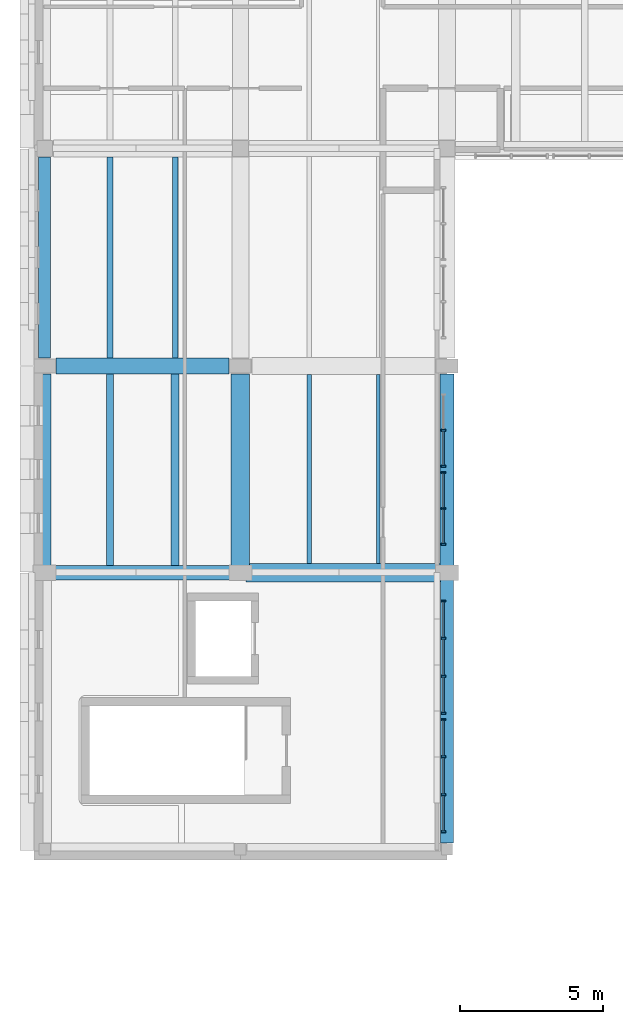
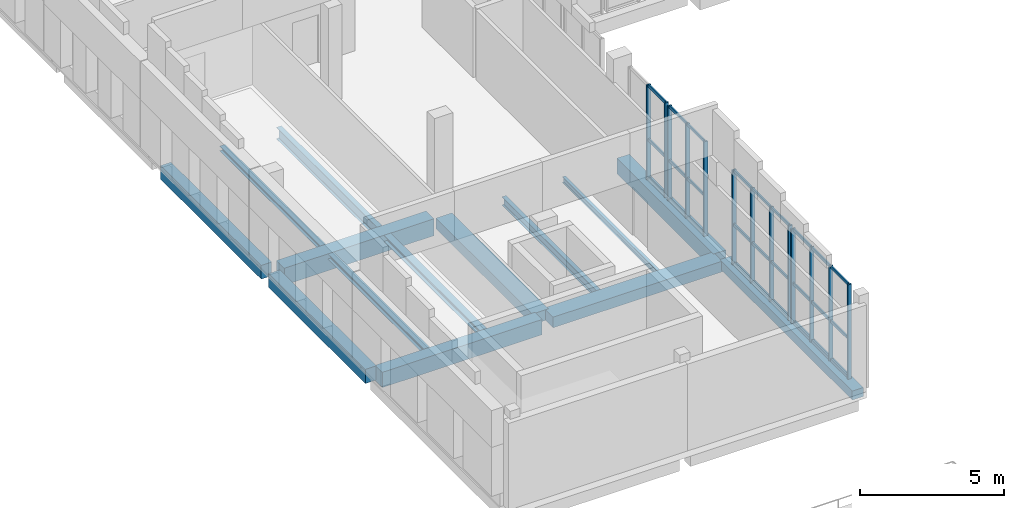
# One storey, part 8 of 34: 40 members, 14 beams, 4 elements without a shape of their own.
"""IFC4 building model written with IfcOpenShell, lengths in metres."""

from ifc_helpers import new_model, si_unit, direction, frame, origin, origin_2d, place, context, subcontext, project, spatial, rectangle, i_section, extrude, material, layer, layer_set, material_profile, profile_set, type_object, element, aggregate, save


model = new_model("IFC4")

# Units and contexts
model_context = context("Model", 3, precision=1e-05, world=origin(), true_north=direction((0.0, 1.0)))
body_context = subcontext(model_context, "Body", "Model", "MODEL_VIEW")
ifc_project = project(units=[si_unit("LENGTHUNIT", "METRE"), si_unit("AREAUNIT", "SQUARE_METRE"), si_unit("VOLUMEUNIT", "CUBIC_METRE"), si_unit("PLANEANGLEUNIT", "RADIAN"), si_unit("MASSUNIT", "GRAM", prefix="KILO")], contexts=[model_context])

# Site, building, storey
site_placement = place(None, origin())
site = spatial("IfcSite", under=ifc_project, at=site_placement, CompositionType="ELEMENT")
building_placement = place(site_placement, origin())
building = spatial("IfcBuilding", under=site, at=building_placement, Name="Vardoun Plaza Health Centre", CompositionType="ELEMENT")
storey_placement = place(building_placement, frame((0.0, 0.0, 12.89990234375)))
storey = spatial("IfcBuildingStorey", under=building, at=storey_placement, Name="L03", CompositionType="ELEMENT", Elevation=12.89990234375)

# Beams
ifc_material_1 = material(Name="Concrete C35/45", Category="concrete")
ifc_material_profile_1 = material_profile(ifc_material_1, rectangle(XDim=0.419921875, YDim=0.580078125, at=origin_2d()), Name="RC-BM 420x580")
ifc_profile_set_1 = profile_set([ifc_material_profile_1], Name="Concrete C35/45")
beam_type_1 = type_object("IfcBeamType", Name="B-10", PredefinedType="SPANDREL", material=ifc_profile_set_1)
beam_1_placement = place(storey_placement, frame((4.8798828125, 94.175048828125, -0.554931640625), z_axis=(0.0, 1.0, 0.0), x_axis=(-1.0, 0.0, 0.0)))
element("IfcBeam", 1, at=beam_1_placement, inside=storey, type_object=beam_type_1, Name="V3 L03 Beam B-V3-L03-Y27", PredefinedType="SPANDREL", context=body_context, shape_type="SweptSolid", body=[
    extrude(rectangle(XDim=0.419921875, YDim=0.580078125, at=origin_2d()), origin(), (0.0, 0.0, 1.0), 7.0048828125),
])
ifc_material_2 = material(Name="Concrete C35/45", Category="concrete")
ifc_material_profile_2 = material_profile(ifc_material_2, rectangle(XDim=0.449951171875, YDim=0.3798828125, at=origin_2d()), Name="RC-BM 450x380")
ifc_profile_set_2 = profile_set([ifc_material_profile_2], Name="Concrete C35/45")
beam_type_2 = type_object("IfcBeamType", Name="B-01", PredefinedType="BEAM", material=ifc_profile_set_2)
beam_2_placement = place(storey_placement, frame((18.89990234375, 77.284912109375, -0.454833984375), z_axis=(0.0, 1.0, 0.0), x_axis=(-1.0, 0.0, 0.0)))
element("IfcBeam", 2, at=beam_2_placement, inside=storey, type_object=beam_type_2, Name="V3 L03 Beam B-V3-L03-Y34", PredefinedType="BEAM", context=body_context, shape_type="SweptSolid", body=[
    extrude(rectangle(XDim=0.449951171875, YDim=0.3798828125, at=origin_2d()), origin(), (0.0, 0.0, 1.0), 9.215087890625),
])
ifc_material_3 = material(Name="Concrete C35/45", Category="concrete")
ifc_material_profile_3 = material_profile(ifc_material_3, rectangle(XDim=0.449951171875, YDim=0.60009765625, at=origin_2d()), Name="RC-BM 450x600")
ifc_profile_set_3 = profile_set([ifc_material_profile_3], Name="Concrete C35/45")
beam_type_3 = type_object("IfcBeamType", Name="B-11", PredefinedType="SPANDREL", material=ifc_profile_set_3)
beam_3_placement = place(storey_placement, frame((4.8798828125, 86.900146484375, -0.56494140625), z_axis=(0.0, 1.0, 0.0), x_axis=(-1.0, 0.0, 0.0)))
element("IfcBeam", 3, at=beam_3_placement, inside=storey, type_object=beam_type_3, Name="V3 L03 Beam B-V3-L03-Y26", PredefinedType="SPANDREL", context=body_context, shape_type="SweptSolid", body=[
    extrude(rectangle(XDim=0.449951171875, YDim=0.60009765625, at=origin_2d()), origin(), (0.0, 0.0, 1.0), 6.724853515625),
])
ifc_material_4 = material(Name="Concrete C40/50", Category="concrete")
ifc_material_profile_4 = material_profile(ifc_material_4, rectangle(XDim=0.5, YDim=0.64990234375, at=origin_2d()), Name="RC-BM 500x650")
ifc_profile_set_4 = profile_set([ifc_material_profile_4], Name="Concrete C40/50")
beam_type_4 = type_object("IfcBeamType", Name="B-13", PredefinedType="BEAM", material=ifc_profile_set_4)
beam_4_placement = place(storey_placement, frame((5.080078125, 86.699951171875, -0.58984375), z_axis=(1.0, 0.0, 0.0), x_axis=(0.0, 1.0, 0.0)))
element("IfcBeam", 4, at=beam_4_placement, inside=storey, type_object=beam_type_4, Name="V3 L03 Beam B-V3-L03-X02", PredefinedType="BEAM", context=body_context, shape_type="SweptSolid", body=[
    extrude(rectangle(XDim=0.5, YDim=0.64990234375, at=origin_2d()), origin(), (0.0, 0.0, 1.0), 6.419921875),
])
beam_5_placement = place(storey_placement, frame((18.89990234375, 86.900146484375, -0.58984375), z_axis=(0.0, 1.0, 0.0), x_axis=(-1.0, 0.0, 0.0)))
element("IfcBeam", 5, at=beam_5_placement, inside=storey, type_object=beam_type_4, Name="V3 L03 Beam B-V3-L03-Y35", PredefinedType="BEAM", context=body_context, shape_type="SweptSolid", body=[
    extrude(rectangle(XDim=0.5, YDim=0.64990234375, at=origin_2d()), origin(), (0.0, 0.0, 1.0), 6.724853515625),
])
ifc_material_5 = material(Name="Concrete C40/50", Category="concrete")
ifc_material_profile_5 = material_profile(ifc_material_5, rectangle(XDim=0.550048828125, YDim=0.719970703125, at=origin_2d()), Name="RC-BM 550x720")
ifc_profile_set_5 = profile_set([ifc_material_profile_5], Name="Concrete C40/50")
beam_type_5 = type_object("IfcBeamType", Name="B-14", PredefinedType="BEAM", material=ifc_profile_set_5)
beam_6_placement = place(storey_placement, frame((5.280029296875, 93.900146484375, -0.625), z_axis=(1.0, 0.0, 0.0), x_axis=(0.0, 1.0, 0.0)))
element("IfcBeam", 6, at=beam_6_placement, inside=storey, type_object=beam_type_5, Name="V3 L03 Beam B-V3-L03-X03", PredefinedType="BEAM", context=body_context, shape_type="SweptSolid", body=[
    extrude(rectangle(XDim=0.550048828125, YDim=0.719970703125, at=origin_2d()), origin(), (0.0, 0.0, 1.0), 6.02001953125),
])
ifc_material_6 = material(Name="Concrete C35/45", Category="concrete")
ifc_material_profile_6 = material_profile(ifc_material_6, rectangle(XDim=0.64990234375, YDim=0.449951171875, at=origin_2d()), Name="RC-BM 650x450")
ifc_profile_set_6 = profile_set([ifc_material_profile_6], Name="Concrete C35/45")
beam_type_6 = type_object("IfcBeamType", Name="B-05", PredefinedType="BEAM", material=ifc_profile_set_6)
beam_7_placement = place(storey_placement, frame((11.89990234375, 86.699951171875, -0.489990234375), z_axis=(1.0, 0.0, 0.0), x_axis=(0.0, 1.0, 0.0)))
element("IfcBeam", 7, at=beam_7_placement, inside=storey, type_object=beam_type_6, Name="V3 L03 Beam B-V3-L03-X08", PredefinedType="BEAM", context=body_context, shape_type="SweptSolid", body=[
    extrude(rectangle(XDim=0.64990234375, YDim=0.449951171875, at=origin_2d()), origin(), (0.0, 0.0, 1.0), 6.800048828125),
])
beam_8_placement = place(storey_placement, frame((11.699951171875, 86.900146484375, -0.489990234375), z_axis=(0.0, 1.0, 0.0), x_axis=(-1.0, 0.0, 0.0)))
element("IfcBeam", 8, at=beam_8_placement, inside=storey, type_object=beam_type_6, Name="V3 L03 Beam B-V3-L03-Y30", PredefinedType="BEAM", context=body_context, shape_type="SweptSolid", body=[
    extrude(rectangle(XDim=0.64990234375, YDim=0.449951171875, at=origin_2d()), origin(), (0.0, 0.0, 1.0), 6.724853515625),
])
ifc_material_7 = material(Name="Steel S355J2", Category="steel")
ifc_material_profile_7 = material_profile(ifc_material_7, i_section(OverallWidth=0.219970703125, OverallDepth=0.2099609375, WebThickness=0.007080078125, FlangeThickness=0.010986328125, FilletRadius=0.01806640625, at=origin_2d()), Name="HEA 220")
ifc_profile_set_7 = profile_set([ifc_material_profile_7], Name="Steel S355J2")
beam_type_7 = type_object("IfcBeamType", Name="SB-08", PredefinedType="BEAM", material=ifc_profile_set_7)
beam_9_placement = place(storey_placement, frame((7.153076171875, 94.175048828125, -0.369873046875), z_axis=(0.0, 1.0, 0.0), x_axis=(-1.0, 0.0, 0.0)))
element("IfcBeam", 9, at=beam_9_placement, inside=storey, type_object=beam_type_7, Name="V3 L03 Secondary Floor Beam SJ-V3-L03-02", PredefinedType="BEAM", context=body_context, shape_type="SweptSolid", body=[
    extrude(i_section(OverallWidth=0.219970703125, OverallDepth=0.2099609375, WebThickness=0.007080078125, FlangeThickness=0.010986328125, FilletRadius=0.01806640625, at=origin_2d()), origin(), (0.0, 0.0, 1.0), 7.0048828125),
])
ifc_material_8 = material(Name="Steel S355J2", Category="steel")
ifc_material_profile_8 = material_profile(ifc_material_8, i_section(OverallWidth=0.239990234375, OverallDepth=0.22998046875, WebThickness=0.007568359375, FlangeThickness=0.011962890625, FilletRadius=0.02099609375, at=origin_2d()), Name="HEA 240")
ifc_profile_set_8 = profile_set([ifc_material_profile_8], Name="Steel S355J2")
beam_type_8 = type_object("IfcBeamType", Name="SB-07", PredefinedType="BEAM", material=ifc_profile_set_8)
beam_10_placement = place(storey_placement, frame((7.153076171875, 86.949951171875, -0.3798828125), z_axis=(0.0, 1.0, 0.0), x_axis=(-1.0, 0.0, 0.0)))
element("IfcBeam", 10, at=beam_10_placement, inside=storey, type_object=beam_type_8, Name="V3 L03 Secondary Floor Beam SJ-V3-L03-01", PredefinedType="BEAM", context=body_context, shape_type="SweptSolid", body=[
    extrude(i_section(OverallWidth=0.239990234375, OverallDepth=0.22998046875, WebThickness=0.007568359375, FlangeThickness=0.011962890625, FilletRadius=0.02099609375, at=origin_2d()), origin(), (0.0, 0.0, 1.0), 6.675048828125),
])
ifc_material_9 = material(Name="Steel S355J2", Category="steel")
ifc_material_profile_9 = material_profile(ifc_material_9, i_section(OverallWidth=0.280029296875, OverallDepth=0.280029296875, WebThickness=0.010498046875, FlangeThickness=0.01806640625, FilletRadius=0.02392578125, at=origin_2d()), Name="HEB 280")
ifc_profile_set_9 = profile_set([ifc_material_profile_9], Name="Steel S355J2")
beam_type_9 = type_object("IfcBeamType", Name="SB-02", PredefinedType="BEAM", material=ifc_profile_set_9)
beam_11_placement = place(storey_placement, frame((9.427001953125, 86.949951171875, -0.40478515625), z_axis=(0.0, 1.0, 0.0), x_axis=(-1.0, 0.0, 0.0)))
element("IfcBeam", 11, at=beam_11_placement, inside=storey, type_object=beam_type_9, Name="V3 L03 Secondary Floor Beam SJ-V3-L03-05", PredefinedType="BEAM", context=body_context, shape_type="SweptSolid", body=[
    extrude(i_section(OverallWidth=0.280029296875, OverallDepth=0.280029296875, WebThickness=0.010498046875, FlangeThickness=0.01806640625, FilletRadius=0.02392578125, at=origin_2d()), origin(), (0.0, 0.0, 1.0), 6.675048828125),
])
ifc_material_10 = material(Name="Steel S355J2", Category="steel")
ifc_material_profile_10 = material_profile(ifc_material_10, i_section(OverallWidth=0.1201171875, OverallDepth=0.239990234375, WebThickness=0.006103515625, FlangeThickness=0.009765625, FilletRadius=0.014892578125, at=origin_2d()), Name="IPE 240")
ifc_profile_set_10 = profile_set([ifc_material_profile_10], Name="Steel S355J2")
beam_type_10 = type_object("IfcBeamType", Name="SB-17", PredefinedType="JOIST", material=ifc_profile_set_10)
beam_12_placement = place(storey_placement, frame((16.500244140625, 87.025146484375, -0.385009765625), z_axis=(0.0, 1.0, 0.0), x_axis=(-1.0, 0.0, 0.0)))
element("IfcBeam", 12, at=beam_12_placement, inside=storey, type_object=beam_type_10, Name="V3 L03 Secondary Floor Beam SJ-V3-L03-13", PredefinedType="JOIST", context=body_context, shape_type="SweptSolid", body=[
    extrude(i_section(OverallWidth=0.1201171875, OverallDepth=0.239990234375, WebThickness=0.006103515625, FlangeThickness=0.009765625, FilletRadius=0.014892578125, at=origin_2d()), origin(), (0.0, 0.0, 1.0), 6.574951171875),
])
ifc_material_11 = material(Name="Steel S355J2", Category="steel")
ifc_material_profile_11 = material_profile(ifc_material_11, i_section(OverallWidth=0.169921875, OverallDepth=0.360107421875, WebThickness=0.008056640625, FlangeThickness=0.0126953125, FilletRadius=0.01806640625, at=origin_2d()), Name="IPE 360")
ifc_profile_set_11 = profile_set([ifc_material_profile_11], Name="Steel S355J2")
beam_type_11 = type_object("IfcBeamType", Name="SB-13", PredefinedType="JOIST", material=ifc_profile_set_11)
beam_13_placement = place(storey_placement, frame((14.099853515625, 87.025146484375, -0.44482421875), z_axis=(0.0, 1.0, 0.0), x_axis=(-1.0, 0.0, 0.0)))
element("IfcBeam", 13, at=beam_13_placement, inside=storey, type_object=beam_type_11, Name="V3 L03 Secondary Floor Beam SJ-V3-L03-09", PredefinedType="JOIST", context=body_context, shape_type="SweptSolid", body=[
    extrude(i_section(OverallWidth=0.169921875, OverallDepth=0.360107421875, WebThickness=0.008056640625, FlangeThickness=0.0126953125, FilletRadius=0.01806640625, at=origin_2d()), origin(), (0.0, 0.0, 1.0), 6.574951171875),
])
ifc_material_12 = material(Name="Steel S355J2", Category="steel")
ifc_material_profile_12 = material_profile(ifc_material_12, i_section(OverallWidth=0.199951171875, OverallDepth=0.5, WebThickness=0.01025390625, FlangeThickness=0.01611328125, FilletRadius=0.02099609375, at=origin_2d()), Name="IPE 500")
ifc_profile_set_12 = profile_set([ifc_material_profile_12], Name="Steel S355J2")
beam_type_12 = type_object("IfcBeamType", Name="SB-10", PredefinedType="BEAM", material=ifc_profile_set_12)
beam_14_placement = place(storey_placement, frame((9.427001953125, 94.175048828125, -0.514892578125), z_axis=(0.0, 1.0, 0.0), x_axis=(-1.0, 0.0, 0.0)))
element("IfcBeam", 14, at=beam_14_placement, inside=storey, type_object=beam_type_12, Name="V3 L03 Secondary Floor Beam SJ-V3-L03-06", PredefinedType="BEAM", context=body_context, shape_type="SweptSolid", body=[
    extrude(i_section(OverallWidth=0.199951171875, OverallDepth=0.5, WebThickness=0.01025390625, FlangeThickness=0.01611328125, FilletRadius=0.02099609375, at=origin_2d()), origin(), (0.0, 0.0, 1.0), 7.0048828125),
])

# Curtain wall, members
ifc_material_13 = material(Name="Aluminium Alloy EN AW-6063-T6 and Low-E Glass", Category="aluminium")
ifc_layer = layer(ifc_material_13, 0.159912109375)
ifc_layer_set = layer_set([ifc_layer], Name="Aluminium Alloy EN AW-6063-T6 and Low-E Glass")
curtain_wall_type = type_object("IfcCurtainWallType", Name="CW-02", PredefinedType="USERDEFINED", material=ifc_layer_set)
curtain_wall_1_placement = place(storey_placement, origin())
curtain_wall_1 = element("IfcCurtainWall", 15, at=curtain_wall_1_placement, inside=storey, type_object=curtain_wall_type, Name="Curtain Wall CW-V3-097", ObjectType="COURTYARD_CURTAIN_WALL", PredefinedType="USERDEFINED")
ifc_material_14 = material(Name="Aluminium Alloy EN AW-6063-T6", Category="aluminium")
ifc_material_profile_13 = material_profile(ifc_material_14, rectangle(XDim=0.159912109375, YDim=0.06005859375, at=origin_2d()), Name="CWM 60x160")
ifc_profile_set_13 = profile_set([ifc_material_profile_13], Name="Aluminium Alloy EN AW-6063-T6")
member_type_1 = type_object("IfcMemberType", Name="CW-M1", PredefinedType="MULLION", material=ifc_profile_set_13)
member_1_placement = place(storey_placement, frame((18.780029296875, 91.659912109375, 0.0), z_axis=(0.0, 0.0, 1.0), x_axis=(1.0, 0.0, 0.0)))
member_1 = element("IfcMember", 16, at=member_1_placement, type_object=member_type_1, Name="CW-V3-097 mullion 2", PredefinedType="MULLION", context=body_context, shape_type="SweptSolid", body=[
    extrude(rectangle(XDim=0.159912109375, YDim=0.06005859375, at=origin_2d()), origin(), (0.0, 0.0, 1.0), 4.01513671875),
])
member_2_placement = place(storey_placement, frame((18.780029296875, 90.409912109375, 0.0), z_axis=(0.0, 0.0, 1.0), x_axis=(1.0, 0.0, 0.0)))
member_2 = element("IfcMember", 17, at=member_2_placement, type_object=member_type_1, Name="CW-V3-097 mullion 3", PredefinedType="MULLION", context=body_context, shape_type="SweptSolid", body=[
    extrude(rectangle(XDim=0.159912109375, YDim=0.06005859375, at=origin_2d()), origin(), (0.0, 0.0, 1.0), 4.01513671875),
])

curtain_wall_2_placement = place(storey_placement, origin())
curtain_wall_2 = element("IfcCurtainWall", 18, at=curtain_wall_2_placement, inside=storey, type_object=curtain_wall_type, Name="Curtain Wall CW-V3-098", ObjectType="COURTYARD_CURTAIN_WALL", PredefinedType="USERDEFINED")
member_3_placement = place(storey_placement, frame((18.780029296875, 90.190185546875, 0.0), z_axis=(0.0, 0.0, 1.0), x_axis=(1.0, 0.0, 0.0)))
member_3 = element("IfcMember", 19, at=member_3_placement, type_object=member_type_1, Name="CW-V3-098 mullion 1", PredefinedType="MULLION", context=body_context, shape_type="SweptSolid", body=[
    extrude(rectangle(XDim=0.159912109375, YDim=0.06005859375, at=origin_2d()), origin(), (0.0, 0.0, 1.0), 4.01513671875),
])
member_4_placement = place(storey_placement, frame((18.780029296875, 88.940185546875, 0.0), z_axis=(0.0, 0.0, 1.0), x_axis=(1.0, 0.0, 0.0)))
member_4 = element("IfcMember", 20, at=member_4_placement, type_object=member_type_1, Name="CW-V3-098 mullion 2", PredefinedType="MULLION", context=body_context, shape_type="SweptSolid", body=[
    extrude(rectangle(XDim=0.159912109375, YDim=0.06005859375, at=origin_2d()), origin(), (0.0, 0.0, 1.0), 4.01513671875),
])
member_5_placement = place(storey_placement, frame((18.780029296875, 87.690185546875, 0.0), z_axis=(0.0, 0.0, 1.0), x_axis=(1.0, 0.0, 0.0)))
member_5 = element("IfcMember", 21, at=member_5_placement, type_object=member_type_1, Name="CW-V3-098 mullion 3", PredefinedType="MULLION", context=body_context, shape_type="SweptSolid", body=[
    extrude(rectangle(XDim=0.159912109375, YDim=0.06005859375, at=origin_2d()), origin(), (0.0, 0.0, 1.0), 4.01513671875),
])

curtain_wall_3_placement = place(storey_placement, origin())
curtain_wall_3 = element("IfcCurtainWall", 22, at=curtain_wall_3_placement, inside=storey, type_object=curtain_wall_type, Name="Curtain Wall CW-V3-099", ObjectType="COURTYARD_CURTAIN_WALL", PredefinedType="USERDEFINED")
member_6_placement = place(storey_placement, frame((18.780029296875, 85.7099609375, 0.0), z_axis=(0.0, 0.0, 1.0), x_axis=(1.0, 0.0, 0.0)))
member_6 = element("IfcMember", 23, at=member_6_placement, type_object=member_type_1, Name="CW-V3-099 mullion 1", PredefinedType="MULLION", context=body_context, shape_type="SweptSolid", body=[
    extrude(rectangle(XDim=0.159912109375, YDim=0.06005859375, at=origin_2d()), origin(), (0.0, 0.0, 1.0), 4.01513671875),
])
member_7_placement = place(storey_placement, frame((18.780029296875, 84.416748046875, 0.0), z_axis=(0.0, 0.0, 1.0), x_axis=(1.0, 0.0, 0.0)))
member_7 = element("IfcMember", 24, at=member_7_placement, type_object=member_type_1, Name="CW-V3-099 mullion 2", PredefinedType="MULLION", context=body_context, shape_type="SweptSolid", body=[
    extrude(rectangle(XDim=0.159912109375, YDim=0.06005859375, at=origin_2d()), origin(), (0.0, 0.0, 1.0), 4.01513671875),
])
member_8_placement = place(storey_placement, frame((18.780029296875, 83.09326171875, 0.0), z_axis=(0.0, 0.0, 1.0), x_axis=(1.0, 0.0, 0.0)))
member_8 = element("IfcMember", 25, at=member_8_placement, type_object=member_type_1, Name="CW-V3-099 mullion 3", PredefinedType="MULLION", context=body_context, shape_type="SweptSolid", body=[
    extrude(rectangle(XDim=0.159912109375, YDim=0.06005859375, at=origin_2d()), origin(), (0.0, 0.0, 1.0), 4.01513671875),
])
member_9_placement = place(storey_placement, frame((18.780029296875, 81.800048828125, 0.0), z_axis=(0.0, 0.0, 1.0), x_axis=(1.0, 0.0, 0.0)))
member_9 = element("IfcMember", 26, at=member_9_placement, type_object=member_type_1, Name="CW-V3-099 mullion 4", PredefinedType="MULLION", context=body_context, shape_type="SweptSolid", body=[
    extrude(rectangle(XDim=0.159912109375, YDim=0.06005859375, at=origin_2d()), origin(), (0.0, 0.0, 1.0), 4.01513671875),
])

curtain_wall_4_placement = place(storey_placement, origin())
curtain_wall_4 = element("IfcCurtainWall", 27, at=curtain_wall_4_placement, inside=storey, type_object=curtain_wall_type, Name="Curtain Wall CW-V3-100", ObjectType="COURTYARD_CURTAIN_WALL", PredefinedType="USERDEFINED")
member_10_placement = place(storey_placement, frame((18.780029296875, 81.580078125, 0.0), z_axis=(0.0, 0.0, 1.0), x_axis=(1.0, 0.0, 0.0)))
member_10 = element("IfcMember", 28, at=member_10_placement, type_object=member_type_1, Name="CW-V3-100 mullion 1", PredefinedType="MULLION", context=body_context, shape_type="SweptSolid", body=[
    extrude(rectangle(XDim=0.159912109375, YDim=0.06005859375, at=origin_2d()), origin(), (0.0, 0.0, 1.0), 4.01513671875),
])
member_11_placement = place(storey_placement, frame((18.780029296875, 80.28662109375, 0.0), z_axis=(0.0, 0.0, 1.0), x_axis=(1.0, 0.0, 0.0)))
member_11 = element("IfcMember", 29, at=member_11_placement, type_object=member_type_1, Name="CW-V3-100 mullion 2", PredefinedType="MULLION", context=body_context, shape_type="SweptSolid", body=[
    extrude(rectangle(XDim=0.159912109375, YDim=0.06005859375, at=origin_2d()), origin(), (0.0, 0.0, 1.0), 4.01513671875),
])
member_12_placement = place(storey_placement, frame((18.780029296875, 78.96337890625, 0.0), z_axis=(0.0, 0.0, 1.0), x_axis=(1.0, 0.0, 0.0)))
member_12 = element("IfcMember", 30, at=member_12_placement, type_object=member_type_1, Name="CW-V3-100 mullion 3", PredefinedType="MULLION", context=body_context, shape_type="SweptSolid", body=[
    extrude(rectangle(XDim=0.159912109375, YDim=0.06005859375, at=origin_2d()), origin(), (0.0, 0.0, 1.0), 4.01513671875),
])
member_13_placement = place(storey_placement, frame((18.780029296875, 77.669921875, 0.0), z_axis=(0.0, 0.0, 1.0), x_axis=(1.0, 0.0, 0.0)))
member_13 = element("IfcMember", 31, at=member_13_placement, type_object=member_type_1, Name="CW-V3-100 mullion 4", PredefinedType="MULLION", context=body_context, shape_type="SweptSolid", body=[
    extrude(rectangle(XDim=0.159912109375, YDim=0.06005859375, at=origin_2d()), origin(), (0.0, 0.0, 1.0), 4.01513671875),
])

# Member
ifc_material_15 = material(Name="Aluminium Alloy EN AW-6063-T6", Category="aluminium")
ifc_material_profile_14 = material_profile(ifc_material_15, rectangle(XDim=0.06005859375, YDim=0.1201171875, at=origin_2d()), Name="CWT 60x120")
ifc_profile_set_14 = profile_set([ifc_material_profile_14], Name="Aluminium Alloy EN AW-6063-T6")
member_type_2 = type_object("IfcMemberType", Name="CW-T1", PredefinedType="USERDEFINED", material=ifc_profile_set_14)
member_14_placement = place(storey_placement, frame((18.780029296875, 91.6298828125, 0.030029296875), z_axis=(0.0, -1.0, 0.0), x_axis=(1.0, 0.0, 0.0)))
member_14 = element("IfcMember", 32, at=member_14_placement, type_object=member_type_2, Name="CW-V3-097 transom 2.1", ObjectType="TRANSOM", PredefinedType="USERDEFINED", context=body_context, shape_type="SweptSolid", body=[
    extrude(rectangle(XDim=0.06005859375, YDim=0.1201171875, at=origin_2d()), origin(), (0.0, 0.0, 1.0), 1.189697265625),
])

member_15_placement = place(storey_placement, frame((18.780029296875, 91.6298828125, 1.686279296875), z_axis=(0.0, -1.0, 0.0), x_axis=(1.0, 0.0, 0.0)))
member_15 = element("IfcMember", 33, at=member_15_placement, type_object=member_type_2, Name="CW-V3-097 transom 2.2", ObjectType="TRANSOM", PredefinedType="USERDEFINED", context=body_context, shape_type="SweptSolid", body=[
    extrude(rectangle(XDim=0.06005859375, YDim=0.1201171875, at=origin_2d()), origin(), (0.0, 0.0, 1.0), 1.189697265625),
])

member_16_placement = place(storey_placement, frame((18.780029296875, 91.6298828125, 3.985107421875), z_axis=(0.0, -1.0, 0.0), x_axis=(1.0, 0.0, 0.0)))
member_16 = element("IfcMember", 34, at=member_16_placement, type_object=member_type_2, Name="CW-V3-097 transom 2.3", ObjectType="TRANSOM", PredefinedType="USERDEFINED", context=body_context, shape_type="SweptSolid", body=[
    extrude(rectangle(XDim=0.06005859375, YDim=0.1201171875, at=origin_2d()), origin(), (0.0, 0.0, 1.0), 1.189697265625),
])

aggregate(curtain_wall_1, [member_1, member_2, member_14, member_15, member_16])

member_17_placement = place(storey_placement, frame((18.780029296875, 90.159912109375, 0.030029296875), z_axis=(0.0, -1.0, 0.0), x_axis=(1.0, 0.0, 0.0)))
member_17 = element("IfcMember", 35, at=member_17_placement, type_object=member_type_2, Name="CW-V3-098 transom 1.1", ObjectType="TRANSOM", PredefinedType="USERDEFINED", context=body_context, shape_type="SweptSolid", body=[
    extrude(rectangle(XDim=0.06005859375, YDim=0.1201171875, at=origin_2d()), origin(), (0.0, 0.0, 1.0), 1.18994140625),
])

member_18_placement = place(storey_placement, frame((18.780029296875, 90.159912109375, 1.686279296875), z_axis=(0.0, -1.0, 0.0), x_axis=(1.0, 0.0, 0.0)))
member_18 = element("IfcMember", 36, at=member_18_placement, type_object=member_type_2, Name="CW-V3-098 transom 1.2", ObjectType="TRANSOM", PredefinedType="USERDEFINED", context=body_context, shape_type="SweptSolid", body=[
    extrude(rectangle(XDim=0.06005859375, YDim=0.1201171875, at=origin_2d()), origin(), (0.0, 0.0, 1.0), 1.18994140625),
])

member_19_placement = place(storey_placement, frame((18.780029296875, 90.159912109375, 3.985107421875), z_axis=(0.0, -1.0, 0.0), x_axis=(1.0, 0.0, 0.0)))
member_19 = element("IfcMember", 37, at=member_19_placement, type_object=member_type_2, Name="CW-V3-098 transom 1.3", ObjectType="TRANSOM", PredefinedType="USERDEFINED", context=body_context, shape_type="SweptSolid", body=[
    extrude(rectangle(XDim=0.06005859375, YDim=0.1201171875, at=origin_2d()), origin(), (0.0, 0.0, 1.0), 1.18994140625),
])

member_20_placement = place(storey_placement, frame((18.780029296875, 88.909912109375, 0.030029296875), z_axis=(0.0, -1.0, 0.0), x_axis=(1.0, 0.0, 0.0)))
member_20 = element("IfcMember", 38, at=member_20_placement, type_object=member_type_2, Name="CW-V3-098 transom 2.1", ObjectType="TRANSOM", PredefinedType="USERDEFINED", context=body_context, shape_type="SweptSolid", body=[
    extrude(rectangle(XDim=0.06005859375, YDim=0.1201171875, at=origin_2d()), origin(), (0.0, 0.0, 1.0), 1.18994140625),
])

member_21_placement = place(storey_placement, frame((18.780029296875, 88.909912109375, 1.686279296875), z_axis=(0.0, -1.0, 0.0), x_axis=(1.0, 0.0, 0.0)))
member_21 = element("IfcMember", 39, at=member_21_placement, type_object=member_type_2, Name="CW-V3-098 transom 2.2", ObjectType="TRANSOM", PredefinedType="USERDEFINED", context=body_context, shape_type="SweptSolid", body=[
    extrude(rectangle(XDim=0.06005859375, YDim=0.1201171875, at=origin_2d()), origin(), (0.0, 0.0, 1.0), 1.18994140625),
])

member_22_placement = place(storey_placement, frame((18.780029296875, 88.909912109375, 3.985107421875), z_axis=(0.0, -1.0, 0.0), x_axis=(1.0, 0.0, 0.0)))
member_22 = element("IfcMember", 40, at=member_22_placement, type_object=member_type_2, Name="CW-V3-098 transom 2.3", ObjectType="TRANSOM", PredefinedType="USERDEFINED", context=body_context, shape_type="SweptSolid", body=[
    extrude(rectangle(XDim=0.06005859375, YDim=0.1201171875, at=origin_2d()), origin(), (0.0, 0.0, 1.0), 1.18994140625),
])

aggregate(curtain_wall_2, [member_3, member_4, member_5, member_17, member_18, member_19, member_20, member_21, member_22])

member_23_placement = place(storey_placement, frame((18.780029296875, 85.679931640625, 0.030029296875), z_axis=(0.0, -1.0, 0.0), x_axis=(1.0, 0.0, 0.0)))
member_23 = element("IfcMember", 41, at=member_23_placement, type_object=member_type_2, Name="CW-V3-099 transom 1.1", ObjectType="TRANSOM", PredefinedType="USERDEFINED", context=body_context, shape_type="SweptSolid", body=[
    extrude(rectangle(XDim=0.06005859375, YDim=0.1201171875, at=origin_2d()), origin(), (0.0, 0.0, 1.0), 1.233154296875),
])

member_24_placement = place(storey_placement, frame((18.780029296875, 85.679931640625, 1.686279296875), z_axis=(0.0, -1.0, 0.0), x_axis=(1.0, 0.0, 0.0)))
member_24 = element("IfcMember", 42, at=member_24_placement, type_object=member_type_2, Name="CW-V3-099 transom 1.2", ObjectType="TRANSOM", PredefinedType="USERDEFINED", context=body_context, shape_type="SweptSolid", body=[
    extrude(rectangle(XDim=0.06005859375, YDim=0.1201171875, at=origin_2d()), origin(), (0.0, 0.0, 1.0), 1.233154296875),
])

member_25_placement = place(storey_placement, frame((18.780029296875, 85.679931640625, 3.985107421875), z_axis=(0.0, -1.0, 0.0), x_axis=(1.0, 0.0, 0.0)))
member_25 = element("IfcMember", 43, at=member_25_placement, type_object=member_type_2, Name="CW-V3-099 transom 1.3", ObjectType="TRANSOM", PredefinedType="USERDEFINED", context=body_context, shape_type="SweptSolid", body=[
    extrude(rectangle(XDim=0.06005859375, YDim=0.1201171875, at=origin_2d()), origin(), (0.0, 0.0, 1.0), 1.233154296875),
])

member_26_placement = place(storey_placement, frame((18.780029296875, 84.38671875, 0.030029296875), z_axis=(0.0, -1.0, 0.0), x_axis=(1.0, 0.0, 0.0)))
member_26 = element("IfcMember", 44, at=member_26_placement, type_object=member_type_2, Name="CW-V3-099 transom 2.1", ObjectType="TRANSOM", PredefinedType="USERDEFINED", context=body_context, shape_type="SweptSolid", body=[
    extrude(rectangle(XDim=0.06005859375, YDim=0.1201171875, at=origin_2d()), origin(), (0.0, 0.0, 1.0), 1.263427734375),
])

member_27_placement = place(storey_placement, frame((18.780029296875, 84.38671875, 1.686279296875), z_axis=(0.0, -1.0, 0.0), x_axis=(1.0, 0.0, 0.0)))
member_27 = element("IfcMember", 45, at=member_27_placement, type_object=member_type_2, Name="CW-V3-099 transom 2.2", ObjectType="TRANSOM", PredefinedType="USERDEFINED", context=body_context, shape_type="SweptSolid", body=[
    extrude(rectangle(XDim=0.06005859375, YDim=0.1201171875, at=origin_2d()), origin(), (0.0, 0.0, 1.0), 1.263427734375),
])

member_28_placement = place(storey_placement, frame((18.780029296875, 84.38671875, 3.985107421875), z_axis=(0.0, -1.0, 0.0), x_axis=(1.0, 0.0, 0.0)))
member_28 = element("IfcMember", 46, at=member_28_placement, type_object=member_type_2, Name="CW-V3-099 transom 2.3", ObjectType="TRANSOM", PredefinedType="USERDEFINED", context=body_context, shape_type="SweptSolid", body=[
    extrude(rectangle(XDim=0.06005859375, YDim=0.1201171875, at=origin_2d()), origin(), (0.0, 0.0, 1.0), 1.263427734375),
])

member_29_placement = place(storey_placement, frame((18.780029296875, 83.063232421875, 0.030029296875), z_axis=(0.0, -1.0, 0.0), x_axis=(1.0, 0.0, 0.0)))
member_29 = element("IfcMember", 47, at=member_29_placement, type_object=member_type_2, Name="CW-V3-099 transom 3.1", ObjectType="TRANSOM", PredefinedType="USERDEFINED", context=body_context, shape_type="SweptSolid", body=[
    extrude(rectangle(XDim=0.06005859375, YDim=0.1201171875, at=origin_2d()), origin(), (0.0, 0.0, 1.0), 1.233154296875),
])

member_30_placement = place(storey_placement, frame((18.780029296875, 83.063232421875, 1.686279296875), z_axis=(0.0, -1.0, 0.0), x_axis=(1.0, 0.0, 0.0)))
member_30 = element("IfcMember", 48, at=member_30_placement, type_object=member_type_2, Name="CW-V3-099 transom 3.2", ObjectType="TRANSOM", PredefinedType="USERDEFINED", context=body_context, shape_type="SweptSolid", body=[
    extrude(rectangle(XDim=0.06005859375, YDim=0.1201171875, at=origin_2d()), origin(), (0.0, 0.0, 1.0), 1.233154296875),
])

member_31_placement = place(storey_placement, frame((18.780029296875, 83.063232421875, 3.985107421875), z_axis=(0.0, -1.0, 0.0), x_axis=(1.0, 0.0, 0.0)))
member_31 = element("IfcMember", 49, at=member_31_placement, type_object=member_type_2, Name="CW-V3-099 transom 3.3", ObjectType="TRANSOM", PredefinedType="USERDEFINED", context=body_context, shape_type="SweptSolid", body=[
    extrude(rectangle(XDim=0.06005859375, YDim=0.1201171875, at=origin_2d()), origin(), (0.0, 0.0, 1.0), 1.233154296875),
])

aggregate(curtain_wall_3, [member_6, member_7, member_8, member_9, member_23, member_24, member_25, member_26, member_27, member_28, member_29, member_30, member_31])

member_32_placement = place(storey_placement, frame((18.780029296875, 81.550048828125, 0.030029296875), z_axis=(0.0, -1.0, 0.0), x_axis=(1.0, 0.0, 0.0)))
member_32 = element("IfcMember", 50, at=member_32_placement, type_object=member_type_2, Name="CW-V3-100 transom 1.1", ObjectType="TRANSOM", PredefinedType="USERDEFINED", context=body_context, shape_type="SweptSolid", body=[
    extrude(rectangle(XDim=0.06005859375, YDim=0.1201171875, at=origin_2d()), origin(), (0.0, 0.0, 1.0), 1.2333984375),
])

member_33_placement = place(storey_placement, frame((18.780029296875, 81.550048828125, 1.686279296875), z_axis=(0.0, -1.0, 0.0), x_axis=(1.0, 0.0, 0.0)))
member_33 = element("IfcMember", 51, at=member_33_placement, type_object=member_type_2, Name="CW-V3-100 transom 1.2", ObjectType="TRANSOM", PredefinedType="USERDEFINED", context=body_context, shape_type="SweptSolid", body=[
    extrude(rectangle(XDim=0.06005859375, YDim=0.1201171875, at=origin_2d()), origin(), (0.0, 0.0, 1.0), 1.2333984375),
])

member_34_placement = place(storey_placement, frame((18.780029296875, 81.550048828125, 3.985107421875), z_axis=(0.0, -1.0, 0.0), x_axis=(1.0, 0.0, 0.0)))
member_34 = element("IfcMember", 52, at=member_34_placement, type_object=member_type_2, Name="CW-V3-100 transom 1.3", ObjectType="TRANSOM", PredefinedType="USERDEFINED", context=body_context, shape_type="SweptSolid", body=[
    extrude(rectangle(XDim=0.06005859375, YDim=0.1201171875, at=origin_2d()), origin(), (0.0, 0.0, 1.0), 1.2333984375),
])

member_35_placement = place(storey_placement, frame((18.780029296875, 80.256591796875, 0.030029296875), z_axis=(0.0, -1.0, 0.0), x_axis=(1.0, 0.0, 0.0)))
member_35 = element("IfcMember", 53, at=member_35_placement, type_object=member_type_2, Name="CW-V3-100 transom 2.1", ObjectType="TRANSOM", PredefinedType="USERDEFINED", context=body_context, shape_type="SweptSolid", body=[
    extrude(rectangle(XDim=0.06005859375, YDim=0.1201171875, at=origin_2d()), origin(), (0.0, 0.0, 1.0), 1.26318359375),
])

member_36_placement = place(storey_placement, frame((18.780029296875, 80.256591796875, 1.686279296875), z_axis=(0.0, -1.0, 0.0), x_axis=(1.0, 0.0, 0.0)))
member_36 = element("IfcMember", 54, at=member_36_placement, type_object=member_type_2, Name="CW-V3-100 transom 2.2", ObjectType="TRANSOM", PredefinedType="USERDEFINED", context=body_context, shape_type="SweptSolid", body=[
    extrude(rectangle(XDim=0.06005859375, YDim=0.1201171875, at=origin_2d()), origin(), (0.0, 0.0, 1.0), 1.26318359375),
])

member_37_placement = place(storey_placement, frame((18.780029296875, 80.256591796875, 3.985107421875), z_axis=(0.0, -1.0, 0.0), x_axis=(1.0, 0.0, 0.0)))
member_37 = element("IfcMember", 55, at=member_37_placement, type_object=member_type_2, Name="CW-V3-100 transom 2.3", ObjectType="TRANSOM", PredefinedType="USERDEFINED", context=body_context, shape_type="SweptSolid", body=[
    extrude(rectangle(XDim=0.06005859375, YDim=0.1201171875, at=origin_2d()), origin(), (0.0, 0.0, 1.0), 1.26318359375),
])

member_38_placement = place(storey_placement, frame((18.780029296875, 78.933349609375, 0.030029296875), z_axis=(0.0, -1.0, 0.0), x_axis=(1.0, 0.0, 0.0)))
member_38 = element("IfcMember", 56, at=member_38_placement, type_object=member_type_2, Name="CW-V3-100 transom 3.1", ObjectType="TRANSOM", PredefinedType="USERDEFINED", context=body_context, shape_type="SweptSolid", body=[
    extrude(rectangle(XDim=0.06005859375, YDim=0.1201171875, at=origin_2d()), origin(), (0.0, 0.0, 1.0), 1.2333984375),
])

member_39_placement = place(storey_placement, frame((18.780029296875, 78.933349609375, 1.686279296875), z_axis=(0.0, -1.0, 0.0), x_axis=(1.0, 0.0, 0.0)))
member_39 = element("IfcMember", 57, at=member_39_placement, type_object=member_type_2, Name="CW-V3-100 transom 3.2", ObjectType="TRANSOM", PredefinedType="USERDEFINED", context=body_context, shape_type="SweptSolid", body=[
    extrude(rectangle(XDim=0.06005859375, YDim=0.1201171875, at=origin_2d()), origin(), (0.0, 0.0, 1.0), 1.2333984375),
])

member_40_placement = place(storey_placement, frame((18.780029296875, 78.933349609375, 3.985107421875), z_axis=(0.0, -1.0, 0.0), x_axis=(1.0, 0.0, 0.0)))
member_40 = element("IfcMember", 58, at=member_40_placement, type_object=member_type_2, Name="CW-V3-100 transom 3.3", ObjectType="TRANSOM", PredefinedType="USERDEFINED", context=body_context, shape_type="SweptSolid", body=[
    extrude(rectangle(XDim=0.06005859375, YDim=0.1201171875, at=origin_2d()), origin(), (0.0, 0.0, 1.0), 1.2333984375),
])

aggregate(curtain_wall_4, [member_10, member_11, member_12, member_13, member_32, member_33, member_34, member_35, member_36, member_37, member_38, member_39, member_40])

save(model, "model.ifc")
